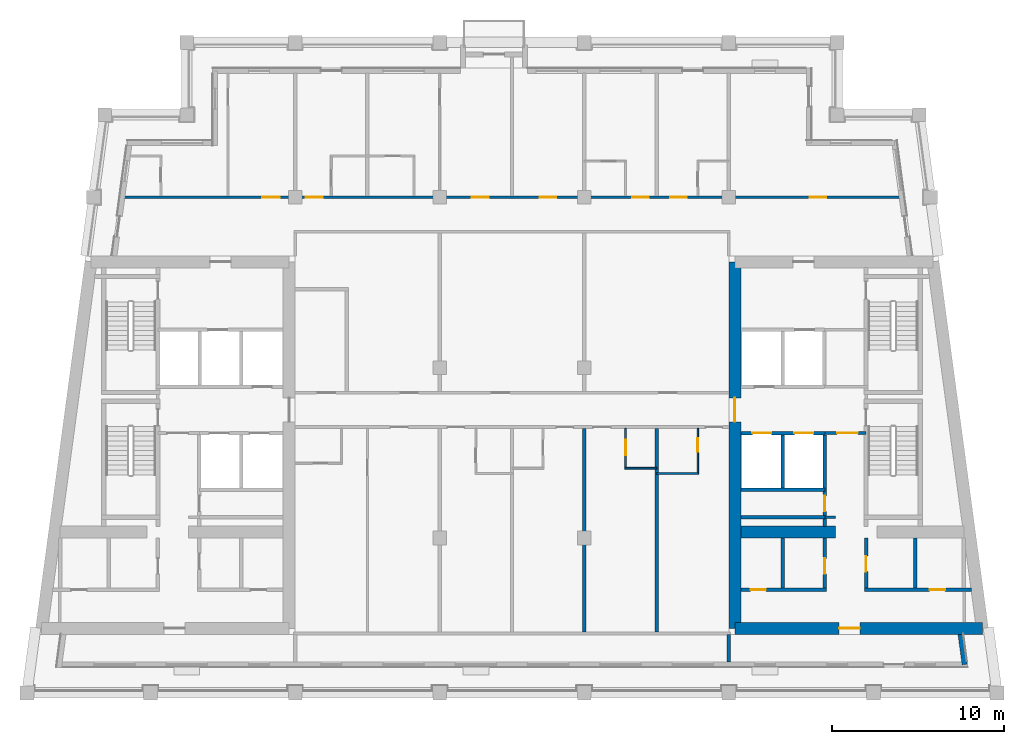
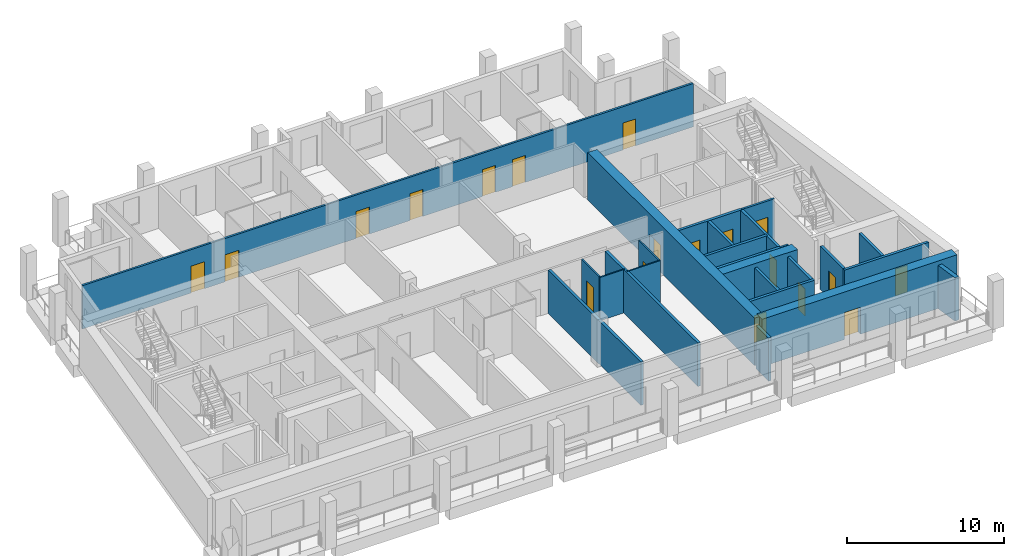
# One storey, part 5 of 14: 25 walls, 19 doors, 19 openings.
"""IFC4 building model written with IfcOpenShell, lengths in metres."""

from ifc_helpers import new_model, si_unit, direction, frame, frame_2d, origin, place, context, subcontext, project, spatial, rectangle, extrude, material, layer, layer_set, type_object, element, fill, save


model = new_model("IFC4")

# Units and contexts
model_context = context("Model", 3, precision=1e-05, world=origin(), true_north=direction((0.0, 1.0)))
body_context = subcontext(model_context, "Body", "Model", "MODEL_VIEW")
ifc_project = project(units=[si_unit("LENGTHUNIT", "METRE"), si_unit("AREAUNIT", "SQUARE_METRE"), si_unit("VOLUMEUNIT", "CUBIC_METRE"), si_unit("PLANEANGLEUNIT", "RADIAN"), si_unit("MASSUNIT", "GRAM", prefix="KILO")], contexts=[model_context])

# Site, building, storey
site_placement = place(None, origin())
site = spatial("IfcSite", under=ifc_project, at=site_placement, CompositionType="ELEMENT")
building_placement = place(site_placement, origin())
building = spatial("IfcBuilding", under=site, at=building_placement, Name="Candeia Pilgrim Tower and Theatre", CompositionType="ELEMENT")
storey_placement = place(building_placement, frame((0.0, 0.0, 273.800048828125)))
storey = spatial("IfcBuildingStorey", under=building, at=storey_placement, Name="L66", CompositionType="ELEMENT", Elevation=273.800048828125)

# Wall, opening, door
ifc_material_1 = material(Name="Concrete C40/50", Category="concrete")
ifc_layer_1 = layer(ifc_material_1, 0.699951171875)
ifc_layer_set_1 = layer_set([ifc_layer_1], Name="Core wall 700 C40/50")
wall_type_1 = type_object("IfcWallType", Name="Core wall 700 C40/50", PredefinedType="SHEAR", material=ifc_layer_set_1)
wall_1_placement = place(storey_placement, frame((140.73046875, 110.75, 0.0), z_axis=(0.0, 0.0, 1.0), x_axis=(-1.0, 0.0, 0.0)))
wall_1 = element("IfcWall", 1, at=wall_1_placement, inside=storey, type_object=wall_type_1, Name="Core wall E3", PredefinedType="SHEAR", context=body_context, shape_type="SweptSolid", body=[
    extrude(rectangle(XDim=14.38037109375, YDim=0.699951171875, at=frame_2d((7.190185546875, 0.0))), origin(), (0.0, 0.0, 1.0), 3.699951171875),
])
opening_1_placement = place(wall_1_placement, frame((7.1201171875, 0.0, 0.0)))
opening_1 = element("IfcOpeningElement", 2, at=opening_1_placement, cuts=wall_1, Name="Opening L66-D047", PredefinedType="OPENING", context=body_context, shape_type="SweptSolid", body=[
    extrude(rectangle(XDim=1.199951171875, YDim=2.10009765625, at=frame_2d((0.60009765625, 1.050048828125))), frame((0.0, 0.35986328125, 0.0), z_axis=(0.0, -1.0, 0.0), x_axis=(1.0, 0.0, 0.0)), (0.0, 0.0, 1.0), 0.719970703125),
])
ifc_material_2 = material(Name="Steel fire door set", Category="steel")
door_type_1 = type_object("IfcDoorType", Name="D-1200-FD60", OperationType="NOTDEFINED", PredefinedType="DOOR", material=ifc_material_2)
door_1_placement = place(opening_1_placement, origin())
door_1 = element("IfcDoor", 3, at=door_1_placement, inside=storey, type_object=door_type_1, Name="Door L66-D047", OperationType="SINGLE_SWING_LEFT", OverallHeight=2.10009765625, OverallWidth=1.199951171875, PredefinedType="DOOR", context=body_context, shape_type="SweptSolid", body=[
    extrude(rectangle(XDim=1.199951171875, YDim=2.10009765625, at=frame_2d((0.60009765625, 1.050048828125))), frame((0.0, 0.02490234375, 0.0), z_axis=(0.0, -1.0, 0.0), x_axis=(1.0, 0.0, 0.0)), (0.0, 0.0, 1.0), 0.050048828125),
])
fill(opening_1, door_1)

wall_2_placement = place(storey_placement, frame((126.35009765625, 110.75, 0.0), z_axis=(0.0, 0.0, 1.0), x_axis=(0.0, 1.0, 0.0)))
wall_2 = element("IfcWall", 4, at=wall_2_placement, inside=storey, type_object=wall_type_1, Name="Core wall E4", PredefinedType="SHEAR", context=body_context, shape_type="SweptSolid", body=[
    extrude(rectangle(XDim=21.300048828125, YDim=0.699951171875, at=frame_2d((10.64990234375, 0.0))), origin(), (0.0, 0.0, 1.0), 3.699951171875),
])
opening_2_placement = place(wall_2_placement, frame((12.0, 0.0, 0.0)))
opening_2 = element("IfcOpeningElement", 5, at=opening_2_placement, cuts=wall_2, Name="Opening L66-D051", PredefinedType="OPENING", context=body_context, shape_type="SweptSolid", body=[
    extrude(rectangle(XDim=1.39990234375, YDim=2.10009765625, at=frame_2d((0.699951171875, 1.050048828125))), frame((0.0, 0.35986328125, 0.0), z_axis=(0.0, -1.0, 0.0), x_axis=(1.0, 0.0, 0.0)), (0.0, 0.0, 1.0), 0.719970703125),
])
door_type_2 = type_object("IfcDoorType", Name="D-1400-FD60", OperationType="NOTDEFINED", PredefinedType="DOOR", material=ifc_material_2)
door_2_placement = place(opening_2_placement, origin())
door_2 = element("IfcDoor", 6, at=door_2_placement, inside=storey, type_object=door_type_2, Name="Door L66-D051", OperationType="SINGLE_SWING_LEFT", OverallHeight=2.10009765625, OverallWidth=1.39990234375, PredefinedType="DOOR", context=body_context, shape_type="SweptSolid", body=[
    extrude(rectangle(XDim=1.39990234375, YDim=2.10009765625, at=frame_2d((0.699951171875, 1.050048828125))), frame((0.0, 0.02490234375, 0.0), z_axis=(0.0, -1.0, 0.0), x_axis=(1.0, 0.0, 0.0)), (0.0, 0.0, 1.0), 0.050048828125),
])
fill(opening_2, door_2)

# Walls
wall_3_placement = place(storey_placement, frame((126.699951171875, 116.35009765625, 0.0), z_axis=(0.0, 0.0, 1.0), x_axis=(1.0, 0.0, 0.0)))
element("IfcWall", 7, at=wall_3_placement, inside=storey, type_object=wall_type_1, Name="Core wall E5", PredefinedType="SHEAR", context=body_context, shape_type="SweptSolid", body=[
    extrude(rectangle(XDim=5.5, YDim=0.699951171875, at=frame_2d((2.75, 0.0))), origin(), (0.0, 0.0, 1.0), 3.699951171875),
])
ifc_material_3 = material(Name="Ceramic block masonry", Category="masonry")
ifc_layer_2 = layer(ifc_material_3, 0.300048828125)
ifc_layer_set_2 = layer_set([ifc_layer_2], Name="EW1 glazing-line wall 300")
wall_type_2 = type_object("IfcWallType", Name="EW1 glazing-line wall 300", PredefinedType="SOLIDWALL", material=ifc_layer_set_2)
wall_4_placement = place(storey_placement, frame((139.701416015625, 108.64990234375, 0.0), z_axis=(0.0, 0.0, 1.0), x_axis=(-0.133422458344, 0.991059255347, 0.0)))
element("IfcWall", 8, at=wall_4_placement, inside=storey, type_object=wall_type_2, Name="External wall L66-2.0", PredefinedType="SOLIDWALL", context=body_context, shape_type="SweptSolid", body=[
    extrude(rectangle(XDim=1.765869140625, YDim=0.300048828125, at=frame_2d((0.8828125, 0.0))), origin(), (0.0, 0.0, 1.0), 3.3798828125),
])
ifc_material_4 = material(Name="Gypsum board partition on steel studs", Category="steel")
ifc_layer_3 = layer(ifc_material_4, 0.10009765625)
ifc_layer_set_3 = layer_set([ifc_layer_3], Name="PW-100 room partition")
wall_type_3 = type_object("IfcWallType", Name="PW-100 room partition", PredefinedType="PARTITIONING", material=ifc_layer_set_3)
wall_5_placement = place(storey_placement, frame((121.800048828125, 119.75, 0.0), z_axis=(0.0, 0.0, 1.0), x_axis=(1.0, 0.0, 0.0)))
element("IfcWall", 9, at=wall_5_placement, inside=storey, type_object=wall_type_3, Name="Room partition L66-015", PredefinedType="PARTITIONING", context=body_context, shape_type="SweptSolid", body=[
    extrude(rectangle(XDim=2.449951171875, YDim=0.10009765625, at=frame_2d((1.22509765625, 0.0))), origin(), (0.0, 0.0, 1.0), 3.3798828125),
])
wall_6_placement = place(storey_placement, frame((119.949951171875, 120.050048828125, 0.0), z_axis=(0.0, 0.0, 1.0), x_axis=(1.0, 0.0, 0.0)))
element("IfcWall", 10, at=wall_6_placement, inside=storey, type_object=wall_type_3, Name="Room partition L66-017", PredefinedType="PARTITIONING", context=body_context, shape_type="SweptSolid", body=[
    extrude(rectangle(XDim=1.85009765625, YDim=0.10009765625, at=frame_2d((0.925048828125, 0.0))), origin(), (0.0, 0.0, 1.0), 3.3798828125),
])

# Wall, opening, door
wall_7_placement = place(storey_placement, frame((120.0, 120.10009765625, 0.0), z_axis=(0.0, 0.0, 1.0), x_axis=(0.0, 1.0, 0.0)))
wall_7 = element("IfcWall", 11, at=wall_7_placement, inside=storey, type_object=wall_type_3, Name="Room partition L66-080", PredefinedType="PARTITIONING", context=body_context, shape_type="SweptSolid", body=[
    extrude(rectangle(XDim=2.27490234375, YDim=0.10009765625, at=frame_2d((1.137451171875, 0.0))), origin(), (0.0, 0.0, 1.0), 3.3798828125),
])
opening_3_placement = place(wall_7_placement, frame((0.699951171875, 0.0, 0.0)))
opening_3 = element("IfcOpeningElement", 12, at=opening_3_placement, cuts=wall_7, Name="Opening L66-D025", PredefinedType="OPENING", context=body_context, shape_type="SweptSolid", body=[
    extrude(rectangle(XDim=0.89990234375, YDim=2.10009765625, at=frame_2d((0.449951171875, 1.050048828125))), frame((0.0, 0.06005859375, 0.0), z_axis=(0.0, -1.0, 0.0), x_axis=(1.0, 0.0, 0.0)), (0.0, 0.0, 1.0), 0.1201171875),
])
ifc_material_5 = material(Name="Timber door leaf", Category="wood")
door_type_3 = type_object("IfcDoorType", Name="D-900", OperationType="NOTDEFINED", PredefinedType="DOOR", material=ifc_material_5)
door_3_placement = place(opening_3_placement, origin())
door_3 = element("IfcDoor", 13, at=door_3_placement, inside=storey, type_object=door_type_3, Name="Door L66-D025", OperationType="SINGLE_SWING_LEFT", OverallHeight=2.10009765625, OverallWidth=0.89990234375, PredefinedType="DOOR", context=body_context, shape_type="SweptSolid", body=[
    extrude(rectangle(XDim=0.89990234375, YDim=2.10009765625, at=frame_2d((0.449951171875, 1.050048828125))), frame((0.0, 0.02490234375, 0.0), z_axis=(0.0, -1.0, 0.0), x_axis=(1.0, 0.0, 0.0)), (0.0, 0.0, 1.0), 0.050048828125),
])
fill(opening_3, door_3)

wall_8_placement = place(storey_placement, frame((124.199951171875, 119.800048828125, 0.0), z_axis=(0.0, 0.0, 1.0), x_axis=(0.0, 1.0, 0.0)))
wall_8 = element("IfcWall", 14, at=wall_8_placement, inside=storey, type_object=wall_type_3, Name="Room partition L66-084", PredefinedType="PARTITIONING", context=body_context, shape_type="SweptSolid", body=[
    extrude(rectangle(XDim=2.574951171875, YDim=0.10009765625, at=frame_2d((1.28759765625, 0.0))), origin(), (0.0, 0.0, 1.0), 3.3798828125),
])
opening_4_placement = place(wall_8_placement, frame((1.199951171875, 0.0, 0.0)))
opening_4 = element("IfcOpeningElement", 15, at=opening_4_placement, cuts=wall_8, Name="Opening L66-D027", PredefinedType="OPENING", context=body_context, shape_type="SweptSolid", body=[
    extrude(rectangle(XDim=0.800048828125, YDim=2.10009765625, at=frame_2d((0.39990234375, 1.050048828125))), frame((0.0, 0.06005859375, 0.0), z_axis=(0.0, -1.0, 0.0), x_axis=(1.0, 0.0, 0.0)), (0.0, 0.0, 1.0), 0.1201171875),
])
door_type_4 = type_object("IfcDoorType", Name="D-800", OperationType="NOTDEFINED", PredefinedType="DOOR", material=ifc_material_5)
door_4_placement = place(opening_4_placement, origin())
door_4 = element("IfcDoor", 16, at=door_4_placement, inside=storey, type_object=door_type_4, Name="Door L66-D027", OperationType="SINGLE_SWING_LEFT", OverallHeight=2.10009765625, OverallWidth=0.800048828125, PredefinedType="DOOR", context=body_context, shape_type="SweptSolid", body=[
    extrude(rectangle(XDim=0.800048828125, YDim=2.10009765625, at=frame_2d((0.39990234375, 1.050048828125))), frame((0.0, 0.02490234375, 0.0), z_axis=(0.0, -1.0, 0.0), x_axis=(1.0, 0.0, 0.0)), (0.0, 0.0, 1.0), 0.050048828125),
])
fill(opening_4, door_4)

# Wall
ifc_layer_4 = layer(ifc_material_4, 0.14990234375)
ifc_layer_set_4 = layer_set([ifc_layer_4], Name="PW-150 lobby wall")
wall_type_4 = type_object("IfcWallType", Name="PW-150 lobby wall", PredefinedType="PARTITIONING", material=ifc_layer_set_4)
wall_9_placement = place(storey_placement, frame((131.572998046875, 117.199951171875, 0.0), z_axis=(0.0, 0.0, 1.0), x_axis=(1.0, 0.0, 0.0)))
element("IfcWall", 17, at=wall_9_placement, inside=storey, type_object=wall_type_4, Name="Lobby wall L66-009", PredefinedType="PARTITIONING", context=body_context, shape_type="SweptSolid", body=[
    extrude(rectangle(XDim=0.626953125, YDim=0.14990234375, at=frame_2d((0.3134765625, 0.0))), origin(), (0.0, 0.0, 1.0), 3.3798828125),
])

# Wall, opening, door
wall_10_placement = place(storey_placement, frame((131.572998046875, 122.10009765625, 0.0), z_axis=(0.0, 0.0, 1.0), x_axis=(1.0, 0.0, 0.0)))
wall_10 = element("IfcWall", 18, at=wall_10_placement, inside=storey, type_object=wall_type_4, Name="Lobby wall L66-022", PredefinedType="PARTITIONING", context=body_context, shape_type="SweptSolid", body=[
    extrude(rectangle(XDim=2.39990234375, YDim=0.14990234375, at=frame_2d((1.199951171875, 0.0))), origin(), (0.0, 0.0, 1.0), 3.3798828125),
])
opening_5_placement = place(wall_10_placement, frame((0.72509765625, 0.0, 0.0)))
opening_5 = element("IfcOpeningElement", 19, at=opening_5_placement, cuts=wall_10, Name="Opening L66-D009", PredefinedType="OPENING", context=body_context, shape_type="SweptSolid", body=[
    extrude(rectangle(XDim=1.199951171875, YDim=2.10009765625, at=frame_2d((0.60009765625, 1.050048828125))), frame((0.0, 0.0849609375, 0.0), z_axis=(0.0, -1.0, 0.0), x_axis=(1.0, 0.0, 0.0)), (0.0, 0.0, 1.0), 0.169921875),
])
door_5_placement = place(opening_5_placement, origin())
door_5 = element("IfcDoor", 20, at=door_5_placement, inside=storey, type_object=door_type_1, Name="Door L66-D009", OperationType="SINGLE_SWING_LEFT", OverallHeight=2.10009765625, OverallWidth=1.199951171875, PredefinedType="DOOR", context=body_context, shape_type="SweptSolid", body=[
    extrude(rectangle(XDim=1.199951171875, YDim=2.10009765625, at=frame_2d((0.60009765625, 1.050048828125))), frame((0.0, 0.02490234375, 0.0), z_axis=(0.0, -1.0, 0.0), x_axis=(1.0, 0.0, 0.0)), (0.0, 0.0, 1.0), 0.050048828125),
])
fill(opening_5, door_5)

# Wall, openings, doors
ifc_layer_5 = layer(ifc_material_4, 0.14990234375)
ifc_layer_set_5 = layer_set([ifc_layer_5], Name="PW-150 unit wall")
wall_type_5 = type_object("IfcWallType", Name="PW-150 unit wall", PredefinedType="PARTITIONING", material=ifc_layer_set_5)
wall_11_placement = place(storey_placement, frame((90.89453125, 135.800048828125, 0.0), z_axis=(0.0, 0.0, 1.0), x_axis=(1.0, 0.0, 0.0)))
wall_11 = element("IfcWall", 21, at=wall_11_placement, inside=storey, type_object=wall_type_5, Name="Unit wall L66-039", PredefinedType="PARTITIONING", context=body_context, shape_type="SweptSolid", body=[
    extrude(rectangle(XDim=45.010986328125, YDim=0.14990234375, at=frame_2d((22.50537109375, 0.0))), origin(), (0.0, 0.0, 1.0), 3.3798828125),
])
opening_6_placement = place(wall_11_placement, frame((8.00537109375, 0.0, 0.0)))
opening_6 = element("IfcOpeningElement", 22, at=opening_6_placement, cuts=wall_11, Name="Opening L66-D028", PredefinedType="OPENING", context=body_context, shape_type="SweptSolid", body=[
    extrude(rectangle(XDim=1.0, YDim=2.10009765625, at=frame_2d((0.5, 1.050048828125))), frame((0.0, 0.0849609375, 0.0), z_axis=(0.0, -1.0, 0.0), x_axis=(1.0, 0.0, 0.0)), (0.0, 0.0, 1.0), 0.169921875),
])
opening_7_placement = place(wall_11_placement, frame((10.515380859375, 0.0, 0.0)))
opening_7 = element("IfcOpeningElement", 23, at=opening_7_placement, cuts=wall_11, Name="Opening L66-D031", PredefinedType="OPENING", context=body_context, shape_type="SweptSolid", body=[
    extrude(rectangle(XDim=1.0, YDim=2.10009765625, at=frame_2d((0.5, 1.050048828125))), frame((0.0, 0.0849609375, 0.0), z_axis=(0.0, -1.0, 0.0), x_axis=(1.0, 0.0, 0.0)), (0.0, 0.0, 1.0), 0.169921875),
])
opening_8_placement = place(wall_11_placement, frame((20.155517578125, 0.0, 0.0)))
opening_8 = element("IfcOpeningElement", 24, at=opening_8_placement, cuts=wall_11, Name="Opening L66-D033", PredefinedType="OPENING", context=body_context, shape_type="SweptSolid", body=[
    extrude(rectangle(XDim=1.0, YDim=2.10009765625, at=frame_2d((0.5, 1.050048828125))), frame((0.0, 0.0849609375, 0.0), z_axis=(0.0, -1.0, 0.0), x_axis=(1.0, 0.0, 0.0)), (0.0, 0.0, 1.0), 0.169921875),
])
opening_9_placement = place(wall_11_placement, frame((24.13037109375, 0.0, 0.0)))
opening_9 = element("IfcOpeningElement", 25, at=opening_9_placement, cuts=wall_11, Name="Opening L66-D036", PredefinedType="OPENING", context=body_context, shape_type="SweptSolid", body=[
    extrude(rectangle(XDim=0.949951171875, YDim=2.10009765625, at=frame_2d((0.47509765625, 1.050048828125))), frame((0.0, 0.0849609375, 0.0), z_axis=(0.0, -1.0, 0.0), x_axis=(1.0, 0.0, 0.0)), (0.0, 0.0, 1.0), 0.169921875),
])
opening_10_placement = place(wall_11_placement, frame((29.492431640625, 0.0, 0.0)))
opening_10 = element("IfcOpeningElement", 26, at=opening_10_placement, cuts=wall_11, Name="Opening L66-D037", PredefinedType="OPENING", context=body_context, shape_type="SweptSolid", body=[
    extrude(rectangle(XDim=0.949951171875, YDim=2.10009765625, at=frame_2d((0.47509765625, 1.050048828125))), frame((0.0, 0.0849609375, 0.0), z_axis=(0.0, -1.0, 0.0), x_axis=(1.0, 0.0, 0.0)), (0.0, 0.0, 1.0), 0.169921875),
])
opening_11_placement = place(wall_11_placement, frame((31.705322265625, 0.0, 0.0)))
opening_11 = element("IfcOpeningElement", 27, at=opening_11_placement, cuts=wall_11, Name="Opening L66-D039", PredefinedType="OPENING", context=body_context, shape_type="SweptSolid", body=[
    extrude(rectangle(XDim=0.949951171875, YDim=2.10009765625, at=frame_2d((0.47509765625, 1.050048828125))), frame((0.0, 0.0849609375, 0.0), z_axis=(0.0, -1.0, 0.0), x_axis=(1.0, 0.0, 0.0)), (0.0, 0.0, 1.0), 0.169921875),
])
opening_12_placement = place(wall_11_placement, frame((39.814453125, 0.0, 0.0)))
opening_12 = element("IfcOpeningElement", 28, at=opening_12_placement, cuts=wall_11, Name="Opening L66-D041", PredefinedType="OPENING", context=body_context, shape_type="SweptSolid", body=[
    extrude(rectangle(XDim=0.949951171875, YDim=2.10009765625, at=frame_2d((0.47509765625, 1.050048828125))), frame((0.0, 0.0849609375, 0.0), z_axis=(0.0, -1.0, 0.0), x_axis=(1.0, 0.0, 0.0)), (0.0, 0.0, 1.0), 0.169921875),
])
door_type_5 = type_object("IfcDoorType", Name="D-1000-FD30S", OperationType="NOTDEFINED", PredefinedType="DOOR", material=ifc_material_2)
door_6_placement = place(opening_6_placement, origin())
door_6 = element("IfcDoor", 29, at=door_6_placement, inside=storey, type_object=door_type_5, Name="Door L66-D028", OperationType="SINGLE_SWING_RIGHT", OverallHeight=2.10009765625, OverallWidth=1.0, PredefinedType="DOOR", context=body_context, shape_type="SweptSolid", body=[
    extrude(rectangle(XDim=1.0, YDim=2.10009765625, at=frame_2d((0.5, 1.050048828125))), frame((0.0, 0.02490234375, 0.0), z_axis=(0.0, -1.0, 0.0), x_axis=(1.0, 0.0, 0.0)), (0.0, 0.0, 1.0), 0.050048828125),
])
fill(opening_6, door_6)
door_7_placement = place(opening_7_placement, origin())
door_7 = element("IfcDoor", 30, at=door_7_placement, inside=storey, type_object=door_type_5, Name="Door L66-D031", OperationType="SINGLE_SWING_LEFT", OverallHeight=2.10009765625, OverallWidth=1.0, PredefinedType="DOOR", context=body_context, shape_type="SweptSolid", body=[
    extrude(rectangle(XDim=1.0, YDim=2.10009765625, at=frame_2d((0.5, 1.050048828125))), frame((0.0, 0.02490234375, 0.0), z_axis=(0.0, -1.0, 0.0), x_axis=(1.0, 0.0, 0.0)), (0.0, 0.0, 1.0), 0.050048828125),
])
fill(opening_7, door_7)
door_8_placement = place(opening_8_placement, origin())
door_8 = element("IfcDoor", 31, at=door_8_placement, inside=storey, type_object=door_type_5, Name="Door L66-D033", OperationType="SINGLE_SWING_LEFT", OverallHeight=2.10009765625, OverallWidth=1.0, PredefinedType="DOOR", context=body_context, shape_type="SweptSolid", body=[
    extrude(rectangle(XDim=1.0, YDim=2.10009765625, at=frame_2d((0.5, 1.050048828125))), frame((0.0, 0.02490234375, 0.0), z_axis=(0.0, -1.0, 0.0), x_axis=(1.0, 0.0, 0.0)), (0.0, 0.0, 1.0), 0.050048828125),
])
fill(opening_8, door_8)
door_type_6 = type_object("IfcDoorType", Name="D-950-FD30S", OperationType="NOTDEFINED", PredefinedType="DOOR", material=ifc_material_2)
door_9_placement = place(opening_9_placement, origin())
door_9 = element("IfcDoor", 32, at=door_9_placement, inside=storey, type_object=door_type_6, Name="Door L66-D036", OperationType="SINGLE_SWING_RIGHT", OverallHeight=2.10009765625, OverallWidth=0.949951171875, PredefinedType="DOOR", context=body_context, shape_type="SweptSolid", body=[
    extrude(rectangle(XDim=0.949951171875, YDim=2.10009765625, at=frame_2d((0.47509765625, 1.050048828125))), frame((0.0, 0.02490234375, 0.0), z_axis=(0.0, -1.0, 0.0), x_axis=(1.0, 0.0, 0.0)), (0.0, 0.0, 1.0), 0.050048828125),
])
fill(opening_9, door_9)
door_10_placement = place(opening_10_placement, origin())
door_10 = element("IfcDoor", 33, at=door_10_placement, inside=storey, type_object=door_type_6, Name="Door L66-D037", OperationType="SINGLE_SWING_LEFT", OverallHeight=2.10009765625, OverallWidth=0.949951171875, PredefinedType="DOOR", context=body_context, shape_type="SweptSolid", body=[
    extrude(rectangle(XDim=0.949951171875, YDim=2.10009765625, at=frame_2d((0.47509765625, 1.050048828125))), frame((0.0, 0.02490234375, 0.0), z_axis=(0.0, -1.0, 0.0), x_axis=(1.0, 0.0, 0.0)), (0.0, 0.0, 1.0), 0.050048828125),
])
fill(opening_10, door_10)
door_11_placement = place(opening_11_placement, origin())
door_11 = element("IfcDoor", 34, at=door_11_placement, inside=storey, type_object=door_type_6, Name="Door L66-D039", OperationType="SINGLE_SWING_LEFT", OverallHeight=2.10009765625, OverallWidth=0.949951171875, PredefinedType="DOOR", context=body_context, shape_type="SweptSolid", body=[
    extrude(rectangle(XDim=0.949951171875, YDim=2.10009765625, at=frame_2d((0.47509765625, 1.050048828125))), frame((0.0, 0.02490234375, 0.0), z_axis=(0.0, -1.0, 0.0), x_axis=(1.0, 0.0, 0.0)), (0.0, 0.0, 1.0), 0.050048828125),
])
fill(opening_11, door_11)
door_12_placement = place(opening_12_placement, origin())
door_12 = element("IfcDoor", 35, at=door_12_placement, inside=storey, type_object=door_type_6, Name="Door L66-D041", OperationType="SINGLE_SWING_LEFT", OverallHeight=2.10009765625, OverallWidth=0.949951171875, PredefinedType="DOOR", context=body_context, shape_type="SweptSolid", body=[
    extrude(rectangle(XDim=0.949951171875, YDim=2.10009765625, at=frame_2d((0.47509765625, 1.050048828125))), frame((0.0, 0.02490234375, 0.0), z_axis=(0.0, -1.0, 0.0), x_axis=(1.0, 0.0, 0.0)), (0.0, 0.0, 1.0), 0.050048828125),
])
fill(opening_12, door_12)

# Walls
ifc_layer_6 = layer(ifc_material_4, 0.199951171875)
ifc_layer_set_6 = layer_set([ifc_layer_6], Name="PW-200 party wall")
wall_type_6 = type_object("IfcWallType", Name="PW-200 party wall", PredefinedType="PARTITIONING", material=ifc_layer_set_6)
for number, where, z_axis, x_axis, name in (
    (36, (117.60009765625, 110.550048828125, 0.0), (0.0, 0.0, 1.0), (0.0, 1.0, 0.0), "Party wall L66-077"),
    (37, (121.800048828125, 110.550048828125, 0.0), (0.0, 0.0, 1.0), (0.0, 1.0, 0.0), "Party wall L66-082"),
):
    element("IfcWall", number, at=place(storey_placement, frame(where, z_axis=z_axis, x_axis=x_axis)), inside=storey, type_object=wall_type_6, Name=name, PredefinedType="PARTITIONING", context=body_context, shape_type="SweptSolid", body=[
        extrude(rectangle(XDim=11.824951171875, YDim=0.199951171875, at=frame_2d((5.91259765625, 0.0))), origin(), (0.0, 0.0, 1.0), 3.3798828125),
    ])
wall_12_placement = place(storey_placement, frame((126.0, 108.7900390625, 0.0), z_axis=(0.0, 0.0, 1.0), x_axis=(0.0, 1.0, 0.0)))
element("IfcWall", 38, at=wall_12_placement, inside=storey, type_object=wall_type_6, Name="Party wall L66-086", PredefinedType="PARTITIONING", context=body_context, shape_type="SweptSolid", body=[
    extrude(rectangle(XDim=1.60986328125, YDim=0.199951171875, at=frame_2d((0.804931640625, 0.0))), origin(), (0.0, 0.0, 1.0), 3.3798828125),
])

# Wall, opening, door
ifc_layer_7 = layer(ifc_material_1, 0.199951171875)
ifc_layer_set_7 = layer_set([ifc_layer_7], Name="SW-200 shaft wall")
wall_type_7 = type_object("IfcWallType", Name="SW-200 shaft wall", PredefinedType="PARTITIONING", material=ifc_layer_set_7)
wall_13_placement = place(storey_placement, frame((126.699951171875, 113.0, 0.0), z_axis=(0.0, 0.0, 1.0), x_axis=(1.0, 0.0, 0.0)))
wall_13 = element("IfcWall", 39, at=wall_13_placement, inside=storey, type_object=wall_type_7, Name="Shaft wall L66-004", PredefinedType="PARTITIONING", context=body_context, shape_type="SweptSolid", body=[
    extrude(rectangle(XDim=4.97314453125, YDim=0.199951171875, at=frame_2d((2.486572265625, 0.0))), origin(), (0.0, 0.0, 1.0), 3.3798828125),
])
opening_13_placement = place(wall_13_placement, frame((0.55908203125, 0.0, 0.0)))
opening_13 = element("IfcOpeningElement", 40, at=opening_13_placement, cuts=wall_13, Name="Opening L66-D016", PredefinedType="OPENING", context=body_context, shape_type="SweptSolid", body=[
    extrude(rectangle(XDim=0.89990234375, YDim=2.10009765625, at=frame_2d((0.449951171875, 1.050048828125))), frame((0.0, 0.10986328125, 0.0), z_axis=(0.0, -1.0, 0.0), x_axis=(1.0, 0.0, 0.0)), (0.0, 0.0, 1.0), 0.219970703125),
])
door_type_7 = type_object("IfcDoorType", Name="D-900-FD60", OperationType="NOTDEFINED", PredefinedType="DOOR", material=ifc_material_2)
door_13_placement = place(opening_13_placement, origin())
door_13 = element("IfcDoor", 41, at=door_13_placement, inside=storey, type_object=door_type_7, Name="Door L66-D016", OperationType="SINGLE_SWING_RIGHT", OverallHeight=2.10009765625, OverallWidth=0.89990234375, PredefinedType="DOOR", context=body_context, shape_type="SweptSolid", body=[
    extrude(rectangle(XDim=0.89990234375, YDim=2.10009765625, at=frame_2d((0.449951171875, 1.050048828125))), frame((0.0, 0.02490234375, 0.0), z_axis=(0.0, -1.0, 0.0), x_axis=(1.0, 0.0, 0.0)), (0.0, 0.0, 1.0), 0.050048828125),
])
fill(opening_13, door_13)

wall_14_placement = place(storey_placement, frame((133.873046875, 113.0, 0.0), z_axis=(0.0, 0.0, 1.0), x_axis=(1.0, 0.0, 0.0)))
wall_14 = element("IfcWall", 42, at=wall_14_placement, inside=storey, type_object=wall_type_7, Name="Shaft wall L66-005", PredefinedType="PARTITIONING", context=body_context, shape_type="SweptSolid", body=[
    extrude(rectangle(XDim=6.2314453125, YDim=0.199951171875, at=frame_2d((3.11572265625, 0.0))), origin(), (0.0, 0.0, 1.0), 3.3798828125),
])
opening_14_placement = place(wall_14_placement, frame((3.800048828125, 0.0, 0.0)))
opening_14 = element("IfcOpeningElement", 43, at=opening_14_placement, cuts=wall_14, Name="Opening L66-D013", PredefinedType="OPENING", context=body_context, shape_type="SweptSolid", body=[
    extrude(rectangle(XDim=0.89990234375, YDim=2.10009765625, at=frame_2d((0.449951171875, 1.050048828125))), frame((0.0, 0.10986328125, 0.0), z_axis=(0.0, -1.0, 0.0), x_axis=(1.0, 0.0, 0.0)), (0.0, 0.0, 1.0), 0.219970703125),
])
door_14_placement = place(opening_14_placement, origin())
door_14 = element("IfcDoor", 44, at=door_14_placement, inside=storey, type_object=door_type_7, Name="Door L66-D013", OperationType="SINGLE_SWING_LEFT", OverallHeight=2.10009765625, OverallWidth=0.89990234375, PredefinedType="DOOR", context=body_context, shape_type="SweptSolid", body=[
    extrude(rectangle(XDim=0.89990234375, YDim=2.10009765625, at=frame_2d((0.449951171875, 1.050048828125))), frame((0.0, 0.02490234375, 0.0), z_axis=(0.0, -1.0, 0.0), x_axis=(1.0, 0.0, 0.0)), (0.0, 0.0, 1.0), 0.050048828125),
])
fill(opening_14, door_14)

# Walls
for number, where, z_axis, x_axis, name in (
    (45, (126.699951171875, 117.199951171875, 0.0), (0.0, 0.0, 1.0), (1.0, 0.0, 0.0), "Shaft wall L66-007"),
    (46, (126.699951171875, 118.800048828125, 0.0), (0.0, 0.0, 1.0), (1.0, 0.0, 0.0), "Shaft wall L66-013"),
):
    element("IfcWall", number, at=place(storey_placement, frame(where, z_axis=z_axis, x_axis=x_axis)), inside=storey, type_object=wall_type_7, Name=name, PredefinedType="PARTITIONING", context=body_context, shape_type="SweptSolid", body=[
        extrude(rectangle(XDim=4.873046875, YDim=0.199951171875, at=frame_2d((2.4365234375, 0.0))), origin(), (0.0, 0.0, 1.0), 3.3798828125),
    ])

# Wall, openings, doors
wall_15_placement = place(storey_placement, frame((126.699951171875, 122.10009765625, 0.0), z_axis=(0.0, 0.0, 1.0), x_axis=(1.0, 0.0, 0.0)))
wall_15 = element("IfcWall", 47, at=wall_15_placement, inside=storey, type_object=wall_type_7, Name="Shaft wall L66-020", PredefinedType="PARTITIONING", context=body_context, shape_type="SweptSolid", body=[
    extrude(rectangle(XDim=4.873046875, YDim=0.199951171875, at=frame_2d((2.4365234375, 0.0))), origin(), (0.0, 0.0, 1.0), 3.3798828125),
])
opening_15_placement = place(wall_15_placement, frame((3.10498046875, 0.0, 0.0)))
opening_15 = element("IfcOpeningElement", 48, at=opening_15_placement, cuts=wall_15, Name="Opening L66-LD05", PredefinedType="OPENING", context=body_context, shape_type="SweptSolid", body=[
    extrude(rectangle(XDim=1.10009765625, YDim=2.10009765625, at=frame_2d((0.550048828125, 1.050048828125))), frame((0.0, 0.10986328125, 0.0), z_axis=(0.0, -1.0, 0.0), x_axis=(1.0, 0.0, 0.0)), (0.0, 0.0, 1.0), 0.219970703125),
])
opening_16_placement = place(wall_15_placement, frame((0.66796875, 0.0, 0.0)))
opening_16 = element("IfcOpeningElement", 49, at=opening_16_placement, cuts=wall_15, Name="Opening L66-LD06", PredefinedType="OPENING", context=body_context, shape_type="SweptSolid", body=[
    extrude(rectangle(XDim=1.10009765625, YDim=2.10009765625, at=frame_2d((0.550048828125, 1.050048828125))), frame((0.0, 0.10986328125, 0.0), z_axis=(0.0, -1.0, 0.0), x_axis=(1.0, 0.0, 0.0)), (0.0, 0.0, 1.0), 0.219970703125),
])
ifc_material_6 = material(Name="Glazed aluminium landing door", Category="aluminium")
door_type_8 = type_object("IfcDoorType", Name="LD-1100-EI120", OperationType="SLIDING_TO_LEFT", PredefinedType="DOOR", material=ifc_material_6)
door_15_placement = place(opening_15_placement, origin())
door_15 = element("IfcDoor", 50, at=door_15_placement, inside=storey, type_object=door_type_8, Name="Landing door 05 L66", OperationType="SLIDING_TO_LEFT", OverallHeight=2.10009765625, OverallWidth=1.10009765625, PredefinedType="DOOR", context=body_context, shape_type="SweptSolid", body=[
    extrude(rectangle(XDim=1.10009765625, YDim=2.10009765625, at=frame_2d((0.550048828125, 1.050048828125))), frame((0.0, 0.02490234375, 0.0), z_axis=(0.0, -1.0, 0.0), x_axis=(1.0, 0.0, 0.0)), (0.0, 0.0, 1.0), 0.050048828125),
])
fill(opening_15, door_15)
door_16_placement = place(opening_16_placement, origin())
door_16 = element("IfcDoor", 51, at=door_16_placement, inside=storey, type_object=door_type_8, Name="Landing door 06 L66", OperationType="SLIDING_TO_LEFT", OverallHeight=2.10009765625, OverallWidth=1.10009765625, PredefinedType="DOOR", context=body_context, shape_type="SweptSolid", body=[
    extrude(rectangle(XDim=1.10009765625, YDim=2.10009765625, at=frame_2d((0.550048828125, 1.050048828125))), frame((0.0, 0.02490234375, 0.0), z_axis=(0.0, -1.0, 0.0), x_axis=(1.0, 0.0, 0.0)), (0.0, 0.0, 1.0), 0.050048828125),
])
fill(opening_16, door_16)

# Walls
wall_16_placement = place(storey_placement, frame((129.136474609375, 113.10009765625, 0.0), z_axis=(0.0, 0.0, 1.0), x_axis=(0.0, 1.0, 0.0)))
element("IfcWall", 52, at=wall_16_placement, inside=storey, type_object=wall_type_7, Name="Shaft wall L66-090", PredefinedType="PARTITIONING", context=body_context, shape_type="SweptSolid", body=[
    extrude(rectangle(XDim=2.89990234375, YDim=0.199951171875, at=frame_2d((1.449951171875, 0.0))), origin(), (0.0, 0.0, 1.0), 3.3798828125),
])
wall_17_placement = place(storey_placement, frame((129.136474609375, 118.89990234375, 0.0), z_axis=(0.0, 0.0, 1.0), x_axis=(0.0, 1.0, 0.0)))
element("IfcWall", 53, at=wall_17_placement, inside=storey, type_object=wall_type_7, Name="Shaft wall L66-091", PredefinedType="PARTITIONING", context=body_context, shape_type="SweptSolid", body=[
    extrude(rectangle(XDim=3.10009765625, YDim=0.199951171875, at=frame_2d((1.550048828125, 0.0))), origin(), (0.0, 0.0, 1.0), 3.3798828125),
])

# Wall, opening, door
wall_18_placement = place(storey_placement, frame((131.572998046875, 113.10009765625, 0.0), z_axis=(0.0, 0.0, 1.0), x_axis=(0.0, 1.0, 0.0)))
wall_18 = element("IfcWall", 54, at=wall_18_placement, inside=storey, type_object=wall_type_7, Name="Shaft wall L66-093", PredefinedType="PARTITIONING", context=body_context, shape_type="SweptSolid", body=[
    extrude(rectangle(XDim=2.89990234375, YDim=0.199951171875, at=frame_2d((1.449951171875, 0.0))), origin(), (0.0, 0.0, 1.0), 3.3798828125),
])
opening_17_placement = place(wall_18_placement, frame((0.81005859375, 0.0, 0.0)))
opening_17 = element("IfcOpeningElement", 55, at=opening_17_placement, cuts=wall_18, Name="Opening L66-D015", PredefinedType="OPENING", context=body_context, shape_type="SweptSolid", body=[
    extrude(rectangle(XDim=0.89990234375, YDim=2.10009765625, at=frame_2d((0.449951171875, 1.050048828125))), frame((0.0, 0.10986328125, 0.0), z_axis=(0.0, -1.0, 0.0), x_axis=(1.0, 0.0, 0.0)), (0.0, 0.0, 1.0), 0.219970703125),
])
door_17_placement = place(opening_17_placement, origin())
door_17 = element("IfcDoor", 56, at=door_17_placement, inside=storey, type_object=door_type_7, Name="Door L66-D015", OperationType="SINGLE_SWING_LEFT", OverallHeight=2.10009765625, OverallWidth=0.89990234375, PredefinedType="DOOR", context=body_context, shape_type="SweptSolid", body=[
    extrude(rectangle(XDim=0.89990234375, YDim=2.10009765625, at=frame_2d((0.449951171875, 1.050048828125))), frame((0.0, 0.02490234375, 0.0), z_axis=(0.0, -1.0, 0.0), x_axis=(1.0, 0.0, 0.0)), (0.0, 0.0, 1.0), 0.050048828125),
])
fill(opening_17, door_17)

wall_19_placement = place(storey_placement, frame((131.572998046875, 116.669921875, 0.0), z_axis=(0.0, 0.0, 1.0), x_axis=(0.0, 1.0, 0.0)))
wall_19 = element("IfcWall", 57, at=wall_19_placement, inside=storey, type_object=wall_type_7, Name="Shaft wall L66-094", PredefinedType="PARTITIONING", context=body_context, shape_type="SweptSolid", body=[
    extrude(rectangle(XDim=5.330078125, YDim=0.199951171875, at=frame_2d((2.6650390625, 0.0))), origin(), (0.0, 0.0, 1.0), 3.3798828125),
])
opening_18_placement = place(wall_19_placement, frame((0.8798828125, 0.0, 0.0)))
opening_18 = element("IfcOpeningElement", 58, at=opening_18_placement, cuts=wall_19, Name="Opening L66-D012", PredefinedType="OPENING", context=body_context, shape_type="SweptSolid", body=[
    extrude(rectangle(XDim=0.89990234375, YDim=2.10009765625, at=frame_2d((0.449951171875, 1.050048828125))), frame((0.0, 0.10986328125, 0.0), z_axis=(0.0, -1.0, 0.0), x_axis=(1.0, 0.0, 0.0)), (0.0, 0.0, 1.0), 0.219970703125),
])
door_18_placement = place(opening_18_placement, origin())
door_18 = element("IfcDoor", 59, at=door_18_placement, inside=storey, type_object=door_type_7, Name="Door L66-D012", OperationType="SINGLE_SWING_RIGHT", OverallHeight=2.10009765625, OverallWidth=0.89990234375, PredefinedType="DOOR", context=body_context, shape_type="SweptSolid", body=[
    extrude(rectangle(XDim=0.89990234375, YDim=2.10009765625, at=frame_2d((0.449951171875, 1.050048828125))), frame((0.0, 0.02490234375, 0.0), z_axis=(0.0, -1.0, 0.0), x_axis=(1.0, 0.0, 0.0)), (0.0, 0.0, 1.0), 0.050048828125),
])
fill(opening_18, door_18)

wall_20_placement = place(storey_placement, frame((133.972900390625, 113.10009765625, 0.0), z_axis=(0.0, 0.0, 1.0), x_axis=(0.0, 1.0, 0.0)))
wall_20 = element("IfcWall", 60, at=wall_20_placement, inside=storey, type_object=wall_type_7, Name="Shaft wall L66-095", PredefinedType="PARTITIONING", context=body_context, shape_type="SweptSolid", body=[
    extrude(rectangle(XDim=2.89990234375, YDim=0.199951171875, at=frame_2d((1.449951171875, 0.0))), origin(), (0.0, 0.0, 1.0), 3.3798828125),
])
opening_19_placement = place(wall_20_placement, frame((0.949951171875, 0.0, 0.0)))
opening_19 = element("IfcOpeningElement", 61, at=opening_19_placement, cuts=wall_20, Name="Opening L66-D014", PredefinedType="OPENING", context=body_context, shape_type="SweptSolid", body=[
    extrude(rectangle(XDim=0.89990234375, YDim=2.10009765625, at=frame_2d((0.449951171875, 1.050048828125))), frame((0.0, 0.10986328125, 0.0), z_axis=(0.0, -1.0, 0.0), x_axis=(1.0, 0.0, 0.0)), (0.0, 0.0, 1.0), 0.219970703125),
])
door_19_placement = place(opening_19_placement, origin())
door_19 = element("IfcDoor", 62, at=door_19_placement, inside=storey, type_object=door_type_7, Name="Door L66-D014", OperationType="SINGLE_SWING_RIGHT", OverallHeight=2.10009765625, OverallWidth=0.89990234375, PredefinedType="DOOR", context=body_context, shape_type="SweptSolid", body=[
    extrude(rectangle(XDim=0.89990234375, YDim=2.10009765625, at=frame_2d((0.449951171875, 1.050048828125))), frame((0.0, 0.02490234375, 0.0), z_axis=(0.0, -1.0, 0.0), x_axis=(1.0, 0.0, 0.0)), (0.0, 0.0, 1.0), 0.050048828125),
])
fill(opening_19, door_19)

# Wall
wall_21_placement = place(storey_placement, frame((136.822998046875, 113.10009765625, 0.0), z_axis=(0.0, 0.0, 1.0), x_axis=(0.0, 1.0, 0.0)))
element("IfcWall", 63, at=wall_21_placement, inside=storey, type_object=wall_type_7, Name="Shaft wall L66-099", PredefinedType="PARTITIONING", context=body_context, shape_type="SweptSolid", body=[
    extrude(rectangle(XDim=2.89990234375, YDim=0.199951171875, at=frame_2d((1.449951171875, 0.0))), origin(), (0.0, 0.0, 1.0), 3.3798828125),
])

save(model, "model.ifc")
